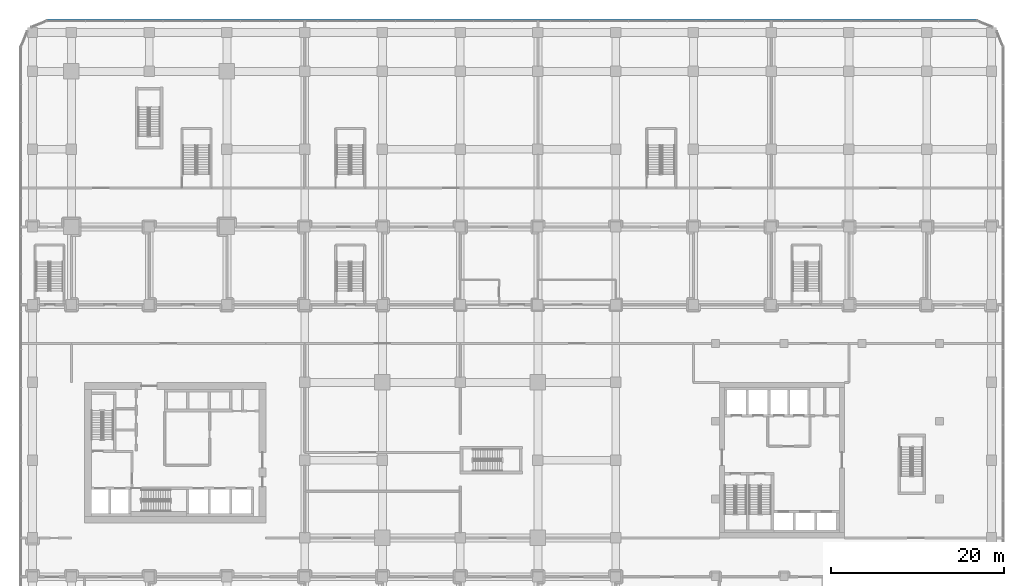
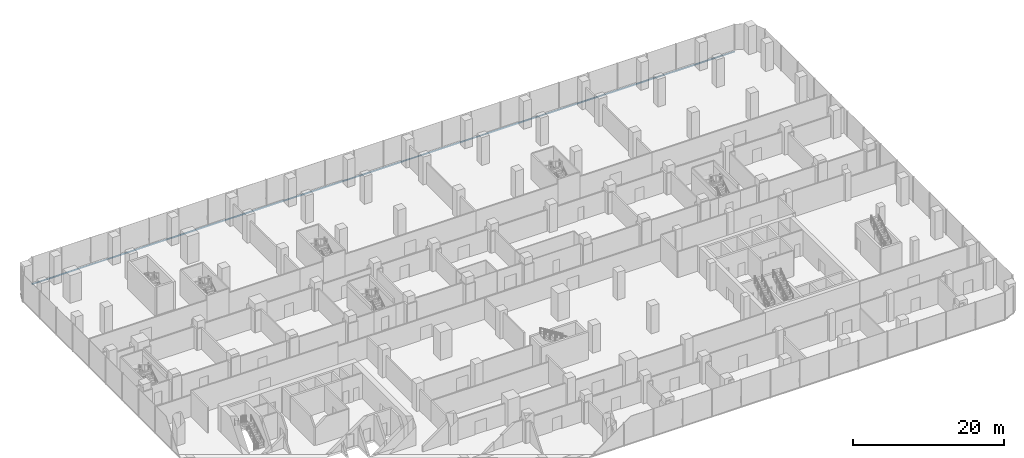
# One storey, part 23 of 43: 1 member, 1 element without a shape of its own.
"""IFC4 building model written with IfcOpenShell, lengths in metres."""

import ifcopenshell
import ifcopenshell.guid

model = None  # the IFC model being written
_history = None  # IfcOwnerHistory: only IFC2X3 demands one
_inside = {}  # id of a spatial element -> (the spatial element, [elements in it])
_under = {}  # id of a project, library or spatial element -> (it, [spatial elements below it])
_declared = {}  # id of a project -> (the project, [libraries it declares])
_typed = {}  # id of a type object -> (the type object, [elements of that type])
_made_of = {}  # id of a material, layer set ... -> (it, [elements and type objects made of it])


def new_model(schema):
    """Start an empty IFC model of exactly this schema.

    Asked for "IFC4X3", IfcOpenShell would pick the latest addendum, in which some entities
    have other attributes; the version numbers below select the first issue.
    IFC2X3 requires an IfcOwnerHistory on every rooted entity: one is made here for all.
    """
    global model, _history
    if schema == "IFC4X3":
        model = ifcopenshell.file(schema_version=(4, 3, 0, 0))
    else:
        model = ifcopenshell.file(schema=schema)
    _inside.clear()
    _under.clear()
    _declared.clear()
    _typed.clear()
    _made_of.clear()
    _history = None
    if model.schema == "IFC2X3":
        org = make("IfcOrganization", Name="unknown")
        user = make(
            "IfcPersonAndOrganization",
            ThePerson=make("IfcPerson", FamilyName="unknown"),
            TheOrganization=org,
        )
        app = make(
            "IfcApplication",
            ApplicationDeveloper=org,
            Version="unknown",
            ApplicationFullName="unknown",
            ApplicationIdentifier="unknown",
        )
        _history = make(
            "IfcOwnerHistory",
            OwningUser=user,
            OwningApplication=app,
            ChangeAction="ADDED",
            CreationDate=0,
        )
    return model


def make(cls, **values):
    """One entity of the class cls with the attributes given. An attribute that is None is left unset."""
    return model.create_entity(
        cls, **{name: value for name, value in values.items() if value is not None}
    )


def rooted(cls, **values):
    """An entity with a GlobalId (a new one), such as an element, a storey or a relation."""
    return make(cls, GlobalId=ifcopenshell.guid.new(), OwnerHistory=_history, **values)


def si_unit(unit_type, name, prefix=None):
    """IfcSIUnit, for example si_unit("LENGTHUNIT", "METRE", prefix="MILLI")."""
    return make("IfcSIUnit", UnitType=unit_type, Prefix=prefix, Name=name)


def assignment(units):
    """IfcUnitAssignment: the units of a project."""
    return None if units is None else make("IfcUnitAssignment", Units=units)


def point(xyz):
    """IfcCartesianPoint."""
    return None if xyz is None else make("IfcCartesianPoint", Coordinates=xyz)


def direction(xyz):
    """IfcDirection."""
    return None if xyz is None else make("IfcDirection", DirectionRatios=xyz)


def frame(location, z_axis=None, x_axis=None):
    """IfcAxis2Placement3D, a coordinate frame: its origin and axes. An axis left out is left unset."""
    return make(
        "IfcAxis2Placement3D",
        Location=point(location),
        Axis=direction(z_axis),
        RefDirection=direction(x_axis),
    )


def frame_2d(location, x_axis=None):
    """IfcAxis2Placement2D, a coordinate frame in the plane: its origin and x axis."""
    return make(
        "IfcAxis2Placement2D", Location=point(location), RefDirection=direction(x_axis)
    )


def origin():
    """The frame at (0, 0, 0) with its axes left unset."""
    return frame((0.0, 0.0, 0.0))


def origin_2d():
    """The frame at (0, 0) in the plane with its x axis left unset."""
    return frame_2d((0.0, 0.0))


def place(relative_to, where):
    """IfcLocalPlacement: puts the frame where relative to a parent placement (None: the world)."""
    return make(
        "IfcLocalPlacement", PlacementRelTo=relative_to, RelativePlacement=where
    )


def context(
    kind, dimensions, precision=None, world=None, true_north=None, identifier=None
):
    """IfcGeometricRepresentationContext, for example the 3D "Model" context."""
    return make(
        "IfcGeometricRepresentationContext",
        ContextIdentifier=identifier,
        ContextType=kind,
        CoordinateSpaceDimension=dimensions,
        Precision=precision,
        WorldCoordinateSystem=world,
        TrueNorth=true_north,
    )


def subcontext(parent, identifier, kind, view, scale=None):
    """IfcGeometricRepresentationSubContext, for example "Body" below "Model"."""
    return make(
        "IfcGeometricRepresentationSubContext",
        ContextIdentifier=identifier,
        ContextType=kind,
        ParentContext=parent,
        TargetScale=scale,
        TargetView=view,
    )


def project(units=None, contexts=None):
    """IfcProject with its units and contexts."""
    return rooted(
        "IfcProject",
        Name="project",
        RepresentationContexts=contexts,
        UnitsInContext=assignment(units),
    )


def spatial(cls, under=None, at=None, **own):
    """A site, building, storey or space (cls), placed at a placement, below another one or the project."""
    s = rooted(cls, ObjectPlacement=at, **own)
    if under is not None:
        _under.setdefault(under.id(), (under, []))[1].append(s)
    return s


def profile(cls, at=None, kind="AREA", **sizes):
    """A parametric profile (cls). Its sizes go by their IFC names, for example OverallWidth=200.0."""
    return make(cls, ProfileType=kind, Position=at, **sizes)


def rectangle(**sizes):
    """IfcRectangleProfileDef."""
    return profile("IfcRectangleProfileDef", **sizes)


def extrude(swept, where, along, depth):
    """IfcExtrudedAreaSolid: the profile swept, set in the frame where, extruded along a direction by depth."""
    return make(
        "IfcExtrudedAreaSolid",
        SweptArea=swept,
        Position=where,
        ExtrudedDirection=direction(along),
        Depth=depth,
    )


def shape(context_of_items, identifier, shape_type, items):
    """IfcShapeRepresentation: the items that make up one representation, for example the "Body"."""
    return make(
        "IfcShapeRepresentation",
        ContextOfItems=context_of_items,
        RepresentationIdentifier=identifier,
        RepresentationType=shape_type,
        Items=items,
    )


def material(Name=None, Category=None):
    """IfcMaterial."""
    return make("IfcMaterial", Name=Name, Category=Category)


def layer(
    of_material, thickness, ventilated=None, Name=None, Category=None, Priority=None
):
    """IfcMaterialLayer: one layer of a wall or slab, of a material (None: an air gap)."""
    return make(
        "IfcMaterialLayer",
        Material=of_material,
        LayerThickness=thickness,
        IsVentilated=ventilated,
        Name=Name,
        Category=Category,
        Priority=Priority,
    )


def layer_set(layers, Name=None):
    """IfcMaterialLayerSet."""
    return make("IfcMaterialLayerSet", MaterialLayers=layers, LayerSetName=Name)


def material_profile(
    of_material, cross_section, Name=None, Category=None, Priority=None
):
    """IfcMaterialProfile: a cross section and its material."""
    return make(
        "IfcMaterialProfile",
        Name=Name,
        Material=of_material,
        Profile=cross_section,
        Priority=Priority,
        Category=Category,
    )


def profile_set(profiles, Name=None, composite=None):
    """IfcMaterialProfileSet."""
    return make(
        "IfcMaterialProfileSet",
        Name=Name,
        MaterialProfiles=profiles,
        CompositeProfile=composite,
    )


def made_of(thing, what):
    """Note that an element or type object is made of a material, layer set ...; save() writes the relation."""
    if what is not None:
        _made_of.setdefault(what.id(), (what, []))[1].append(thing)
    return thing


def type_object(cls, material=None, **own):
    """A type object (cls), such as IfcWallType, which elements share."""
    return made_of(rooted(cls, **own), material)


def element(
    cls,
    number,
    at=None,
    inside=None,
    cuts=None,
    type_object=None,
    material=None,
    context=None,
    identifier="Body",
    shape_type=None,
    held_by="IfcProductDefinitionShape",
    body=None,
    shapes=None,
    **own,
):
    """One element of the class cls, such as IfcWall. Its Tag is "e" and its number.

    at: its placement. inside: the storey or other place that contains it. cuts: it is an
    opening in that element (IfcRelVoidsElement). A single representation is given by context,
    identifier, shape_type and body (its items); several are given by shapes. held_by: the class
    of the entity that holds the representations. save() writes the other relations.
    """
    e = rooted(cls, Tag="e%d" % number, ObjectPlacement=at, **own)
    if body is not None:
        shapes = [shape(context, identifier, shape_type, body)]
    if shapes is not None:
        e.Representation = make(held_by, Representations=shapes)
    if inside is not None:
        _inside.setdefault(inside.id(), (inside, []))[1].append(e)
    if cuts is not None:
        rooted(
            "IfcRelVoidsElement", RelatingBuildingElement=cuts, RelatedOpeningElement=e
        )
    if type_object is not None:
        _typed.setdefault(type_object.id(), (type_object, []))[1].append(e)
    return made_of(e, material)


def aggregate(whole, parts):
    """IfcRelAggregates: a whole, such as a stair, and the parts it consists of."""
    return rooted("IfcRelAggregates", RelatingObject=whole, RelatedObjects=parts)


def save(model, path):
    """Write the relations noted so far, then the file.

    IfcRelAggregates (storeys below a building ...), IfcRelContainedInSpatialStructure (elements
    in a storey), IfcRelDefinesByType, IfcRelAssociatesMaterial and IfcRelDeclares: one each for
    every whole, place, type object, material and project.
    """
    for whole, parts in _under.values():
        aggregate(whole, parts)
    for where, things in _inside.values():
        rooted(
            "IfcRelContainedInSpatialStructure",
            RelatedElements=things,
            RelatingStructure=where,
        )
    for kind, things in _typed.values():
        rooted("IfcRelDefinesByType", RelatedObjects=things, RelatingType=kind)
    for what, things in _made_of.values():
        rooted("IfcRelAssociatesMaterial", RelatedObjects=things, RelatingMaterial=what)
    for by, libraries in _declared.values():
        rooted("IfcRelDeclares", RelatingContext=by, RelatedDefinitions=libraries)
    model.write(path)


model = new_model("IFC4")

# Units and contexts
model_context = context("Model", 3, precision=1e-05, world=origin(), true_north=direction((0.0, 1.0)))
body_context = subcontext(model_context, "Body", "Model", "MODEL_VIEW")
ifc_project = project(units=[si_unit("LENGTHUNIT", "METRE"), si_unit("AREAUNIT", "SQUARE_METRE"), si_unit("VOLUMEUNIT", "CUBIC_METRE"), si_unit("PLANEANGLEUNIT", "RADIAN"), si_unit("MASSUNIT", "GRAM", prefix="KILO")], contexts=[model_context])

# Site, building, storey
site_placement = place(None, origin())
site = spatial("IfcSite", under=ifc_project, at=site_placement, CompositionType="ELEMENT")
building_placement = place(site_placement, origin())
building = spatial("IfcBuilding", under=site, at=building_placement, Name="Plateau Cross Towers", CompositionType="ELEMENT")
storey_placement = place(building_placement, frame((0.0, 0.0, 12.800048828125)))
storey = spatial("IfcBuildingStorey", under=building, at=storey_placement, Name="L02", CompositionType="ELEMENT", Elevation=12.800048828125)

# Curtain wall, member
ifc_material_1 = material(Name="Dark low-iron laminated glass", Category="glass")
ifc_layer = layer(ifc_material_1, 0.300048828125)
ifc_layer_set = layer_set([ifc_layer], Name="Dark low-iron laminated glass")
curtain_wall_type = type_object("IfcCurtainWallType", Name="Curtain wall structural silicone CW-C", PredefinedType="NOTDEFINED", material=ifc_layer_set)
curtain_wall_placement = place(storey_placement, origin())
curtain_wall = element("IfcCurtainWall", 1, at=curtain_wall_placement, inside=storey, type_object=curtain_wall_type, Name="ENV/P/L02/P1048_598", PredefinedType="NOTDEFINED")
ifc_material_2 = material(Name="Black anodised aluminium", Category="aluminium")
ifc_material_profile = material_profile(ifc_material_2, rectangle(XDim=0.10009765625, YDim=0.14990234375, at=origin_2d()), Name="TRANSOM 100x150")
ifc_profile_set = profile_set([ifc_material_profile], Name="Black anodised aluminium")
member_type = type_object("IfcMemberType", Name="Transom 100x150 structural silicone", PredefinedType="USERDEFINED", material=ifc_profile_set)
member_placement = place(storey_placement, frame((104.85009765625, 59.85009765625, -0.275146484375), z_axis=(-1.0, 0.0, 0.0), x_axis=(0.0, -1.0, 0.0)))
member = element("IfcMember", 2, at=member_placement, type_object=member_type, Name="CW-C transom", ObjectType="TRANSOM", PredefinedType="USERDEFINED", context=body_context, shape_type="SweptSolid", body=[
    extrude(rectangle(XDim=0.10009765625, YDim=0.14990234375, at=origin_2d()), origin(), (0.0, 0.0, 1.0), 107.7001953125),
])
aggregate(curtain_wall, [member])

save(model, "model.ifc")
